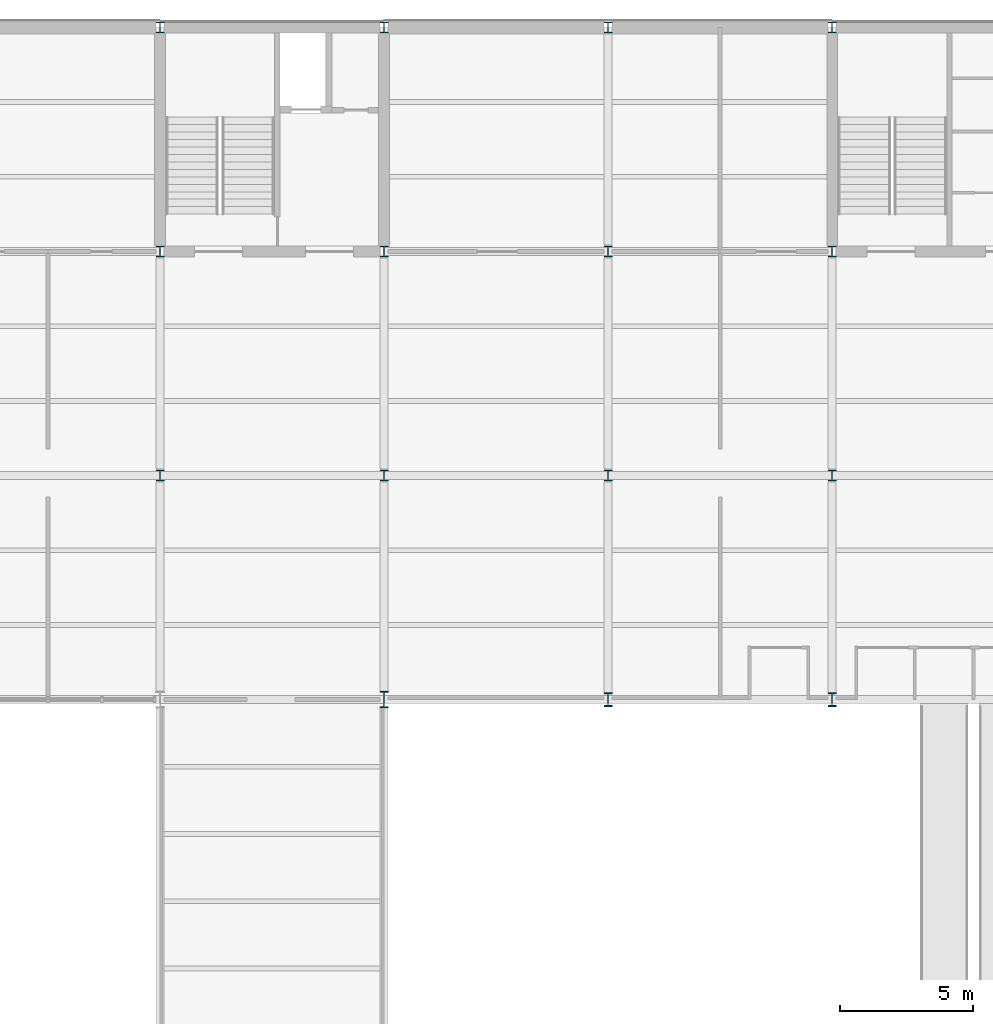
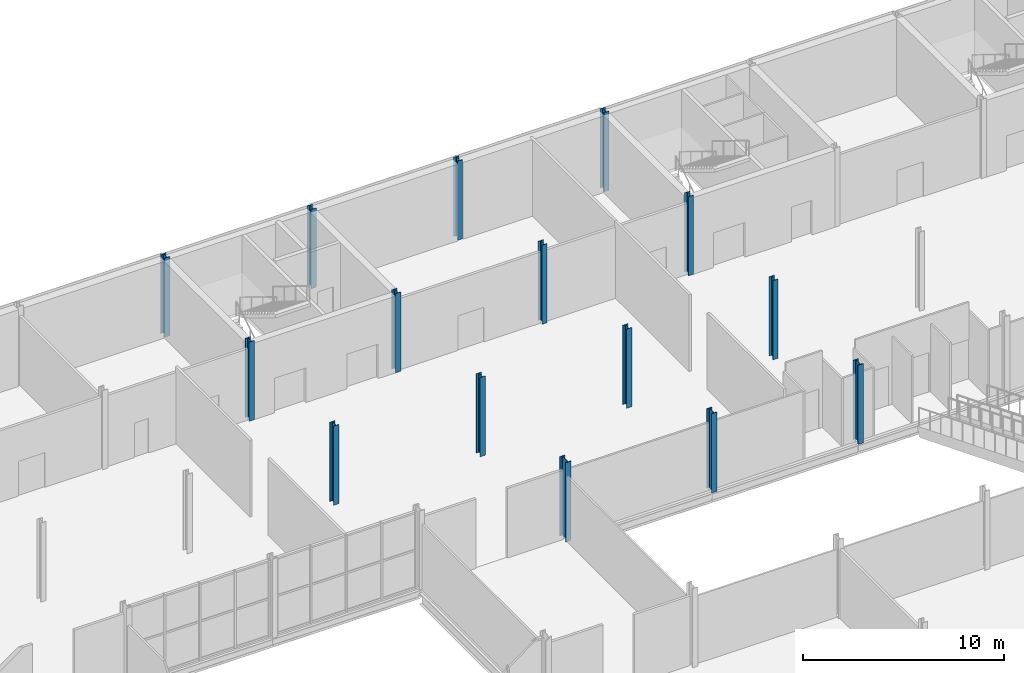
# One storey, part 4 of 52: 15 columns.
"""IFC4 building model written with IfcOpenShell, lengths in metres."""

from ifc_helpers import new_model, si_unit, direction, frame, origin, origin_2d, place, context, subcontext, project, spatial, i_section, extrude, material, material_profile, profile_set, type_object, element, save


model = new_model("IFC4")

# Units and contexts
model_context = context("Model", 3, precision=1e-05, world=origin(), true_north=direction((0.0, 1.0)))
body_context = subcontext(model_context, "Body", "Model", "MODEL_VIEW")
ifc_project = project(units=[si_unit("LENGTHUNIT", "METRE"), si_unit("AREAUNIT", "SQUARE_METRE"), si_unit("VOLUMEUNIT", "CUBIC_METRE"), si_unit("PLANEANGLEUNIT", "RADIAN"), si_unit("MASSUNIT", "GRAM", prefix="KILO")], contexts=[model_context])

# Site, building, storey
site_placement = place(None, origin())
site = spatial("IfcSite", under=ifc_project, at=site_placement, CompositionType="ELEMENT")
building_placement = place(site_placement, origin())
building = spatial("IfcBuilding", under=site, at=building_placement, Name="Galleria Vessillo Department Store", CompositionType="ELEMENT")
storey_placement = place(building_placement, frame((0.0, 0.0, 16.199951171875)))
storey = spatial("IfcBuildingStorey", under=building, at=storey_placement, Name="L03", CompositionType="ELEMENT", Elevation=16.199951171875)

# Columns
ifc_material_1 = material(Name="Steel S355 J2", Category="steel")
ifc_material_profile_1 = material_profile(ifc_material_1, i_section(OverallWidth=0.300048828125, OverallDepth=0.39990234375, WebThickness=0.013427734375, FlangeThickness=0.02392578125, FilletRadius=0.027099609375, at=origin_2d()), Name="HEB 400")
ifc_profile_set_1 = profile_set([ifc_material_profile_1], Name="Steel S355 J2")
column_type_1 = type_object("IfcColumnType", Name="Steel column HEB 400 CP2", PredefinedType="COLUMN", material=ifc_profile_set_1)
for number, where, z_axis, x_axis, name in (
    (1, (33.60009765625, 46.199951171875, 0.0), (0.0, 0.0, 1.0), (1.0, 0.0, 0.0), "S-COL-L03-5-F"),
    (2, (33.60009765625, 54.60009765625, 0.0), (0.0, 0.0, 1.0), (1.0, 0.0, 0.0), "S-COL-L03-5-G"),
    (3, (33.60009765625, 63.0, 0.0), (0.0, 0.0, 1.0), (1.0, 0.0, 0.0), "S-COL-L03-5-H"),
    (4, (42.0, 46.199951171875, 0.0), (0.0, 0.0, 1.0), (1.0, 0.0, 0.0), "S-COL-L03-6-F"),
    (5, (42.0, 54.60009765625, 0.0), (0.0, 0.0, 1.0), (1.0, 0.0, 0.0), "S-COL-L03-6-G"),
    (6, (42.0, 63.0, 0.0), (0.0, 0.0, 1.0), (1.0, 0.0, 0.0), "S-COL-L03-6-H"),
    (7, (50.39990234375, 46.199951171875, 0.0), (0.0, 0.0, 1.0), (1.0, 0.0, 0.0), "S-COL-L03-7-F"),
    (8, (50.39990234375, 54.60009765625, 0.0), (0.0, 0.0, 1.0), (1.0, 0.0, 0.0), "S-COL-L03-7-G"),
    (9, (50.39990234375, 63.0, 0.0), (0.0, 0.0, 1.0), (1.0, 0.0, 0.0), "S-COL-L03-7-H"),
    (10, (58.800048828125, 46.199951171875, 0.0), (0.0, 0.0, 1.0), (1.0, 0.0, 0.0), "S-COL-L03-8-F"),
    (11, (58.800048828125, 54.60009765625, 0.0), (0.0, 0.0, 1.0), (1.0, 0.0, 0.0), "S-COL-L03-8-G"),
    (12, (58.800048828125, 63.0, 0.0), (0.0, 0.0, 1.0), (1.0, 0.0, 0.0), "S-COL-L03-8-H"),
):
    element("IfcColumn", number, at=place(storey_placement, frame(where, z_axis=z_axis, x_axis=x_axis)), inside=storey, type_object=column_type_1, Name=name, PredefinedType="COLUMN", context=body_context, shape_type="SweptSolid", body=[
        extrude(i_section(OverallWidth=0.300048828125, OverallDepth=0.39990234375, WebThickness=0.013427734375, FlangeThickness=0.02392578125, FilletRadius=0.027099609375, at=origin_2d()), origin(), (0.0, 0.0, 1.0), 4.800048828125),
    ])
ifc_material_2 = material(Name="Steel S355 J2", Category="steel")
ifc_material_profile_2 = material_profile(ifc_material_2, i_section(OverallWidth=0.305908203125, OverallDepth=0.52392578125, WebThickness=0.02099609375, FlangeThickness=0.0400390625, FilletRadius=0.027099609375, at=origin_2d()), Name="HEM 500")
ifc_profile_set_2 = profile_set([ifc_material_profile_2], Name="Steel S355 J2")
column_type_2 = type_object("IfcColumnType", Name="Steel column HEM 500 CV1", PredefinedType="COLUMN", material=ifc_profile_set_2)
for number, where, z_axis, x_axis, name in (
    (13, (50.39990234375, 37.800048828125, 0.0), (0.0, 0.0, 1.0), (1.0, 0.0, 0.0), "S-COL-L03-7-E"),
    (14, (58.800048828125, 37.800048828125, 0.0), (0.0, 0.0, 1.0), (1.0, 0.0, 0.0), "S-COL-L03-8-E"),
):
    element("IfcColumn", number, at=place(storey_placement, frame(where, z_axis=z_axis, x_axis=x_axis)), inside=storey, type_object=column_type_2, Name=name, PredefinedType="COLUMN", context=body_context, shape_type="SweptSolid", body=[
        extrude(i_section(OverallWidth=0.305908203125, OverallDepth=0.52392578125, WebThickness=0.02099609375, FlangeThickness=0.0400390625, FilletRadius=0.027099609375, at=origin_2d()), origin(), (0.0, 0.0, 1.0), 4.800048828125),
    ])
ifc_material_3 = material(Name="Steel S355 J2", Category="steel")
ifc_material_profile_3 = material_profile(ifc_material_3, i_section(OverallWidth=0.304931640625, OverallDepth=0.6201171875, WebThickness=0.02099609375, FlangeThickness=0.0400390625, FilletRadius=0.027099609375, at=origin_2d()), Name="HEM 600")
ifc_profile_set_3 = profile_set([ifc_material_profile_3], Name="Steel S355 J2")
column_type_3 = type_object("IfcColumnType", Name="Steel column HEM 600 CV2", PredefinedType="COLUMN", material=ifc_profile_set_3)
column_placement = place(storey_placement, frame((42.0, 37.800048828125, 0.0), z_axis=(0.0, 0.0, 1.0), x_axis=(1.0, 0.0, 0.0)))
element("IfcColumn", 15, at=column_placement, inside=storey, type_object=column_type_3, Name="S-COL-L03-6-E", PredefinedType="COLUMN", context=body_context, shape_type="SweptSolid", body=[
    extrude(i_section(OverallWidth=0.304931640625, OverallDepth=0.6201171875, WebThickness=0.02099609375, FlangeThickness=0.0400390625, FilletRadius=0.027099609375, at=origin_2d()), origin(), (0.0, 0.0, 1.0), 4.800048828125),
])

save(model, "model.ifc")
